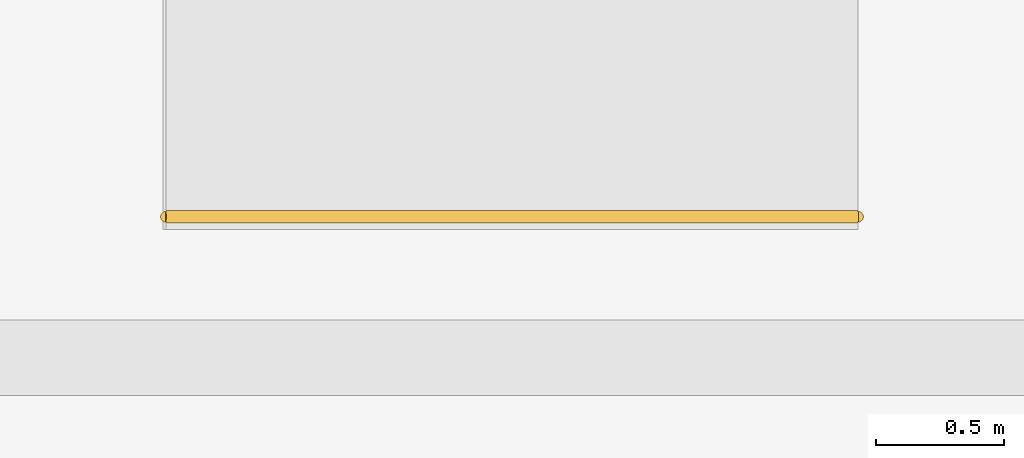
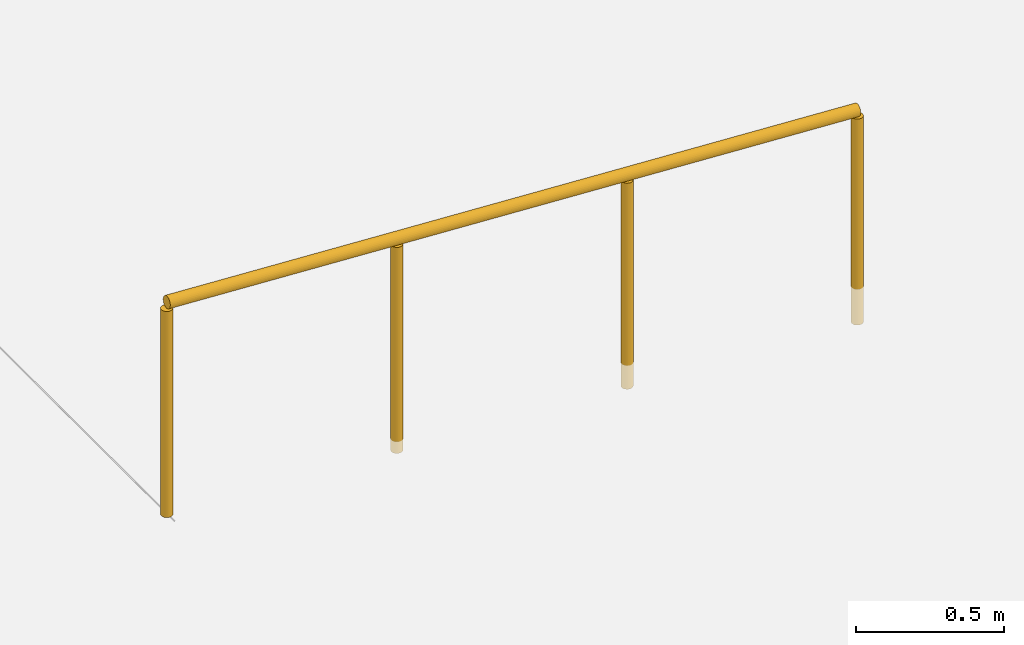
# One storey, part 27 of 29: 1 railing.
"""IFC4 building model written with IfcOpenShell, lengths in metres."""

from ifc_helpers import new_model, si_unit, direction, frame, origin, origin_2d, place, context, subcontext, project, spatial, circle, extrude, material, type_object, element, save


model = new_model("IFC4")

# Units and contexts
model_context = context("Model", 3, precision=1e-05, world=origin(), true_north=direction((0.0, 1.0)))
body_context = subcontext(model_context, "Body", "Model", "MODEL_VIEW")
ifc_project = project(units=[si_unit("LENGTHUNIT", "METRE"), si_unit("AREAUNIT", "SQUARE_METRE"), si_unit("VOLUMEUNIT", "CUBIC_METRE"), si_unit("PLANEANGLEUNIT", "RADIAN"), si_unit("MASSUNIT", "GRAM", prefix="KILO")], contexts=[model_context])

# Site, building, storey
site_placement = place(None, origin())
site = spatial("IfcSite", under=ifc_project, at=site_placement, CompositionType="ELEMENT")
building_placement = place(site_placement, origin())
building = spatial("IfcBuilding", under=site, at=building_placement, Name="Surkhivell Harbour Commons", CompositionType="ELEMENT")
storey_placement = place(building_placement, origin())
storey = spatial("IfcBuildingStorey", under=building, at=storey_placement, Name="L00", CompositionType="ELEMENT", Elevation=0.0)

# Railing
ifc_material = material(Name="Brushed stainless steel S355 handrail", Category="steel")
railing_type = type_object("IfcRailingType", Name="RAL-RMP-900", PredefinedType="HANDRAIL", material=ifc_material)
railing_placement = place(storey_placement, frame((25.300048828125, 22.14990234375, 0.0)))
element("IfcRailing", 1, at=railing_placement, inside=storey, type_object=railing_type, Name="L00 Ramp Handrail HR-04", PredefinedType="HANDRAIL", context=body_context, shape_type="SweptSolid", body=[
    extrude(circle(Radius=0.02392578125, at=origin_2d()), frame((0.0, 0.0, 0.8759765625), z_axis=(0.998462297193, 0.0, -0.055435016772), x_axis=(0.0, 1.0, 0.0)), (0.0, 0.0, 1.0), 2.7041015625),
    extrude(circle(Radius=0.02099609375, at=origin_2d()), origin(), (0.0, 0.0, 1.0), 0.851806640625),
    extrude(circle(Radius=0.02099609375, at=origin_2d()), frame((0.89990234375, 0.0, -0.050048828125)), (0.0, 0.0, 1.0), 0.851806640625),
    extrude(circle(Radius=0.02099609375, at=origin_2d()), frame((1.800048828125, 0.0, -0.099853515625)), (0.0, 0.0, 1.0), 0.851806640625),
    extrude(circle(Radius=0.02099609375, at=origin_2d()), frame((2.699951171875, 0.0, -0.14990234375)), (0.0, 0.0, 1.0), 0.851806640625),
])

save(model, "model.ifc")
